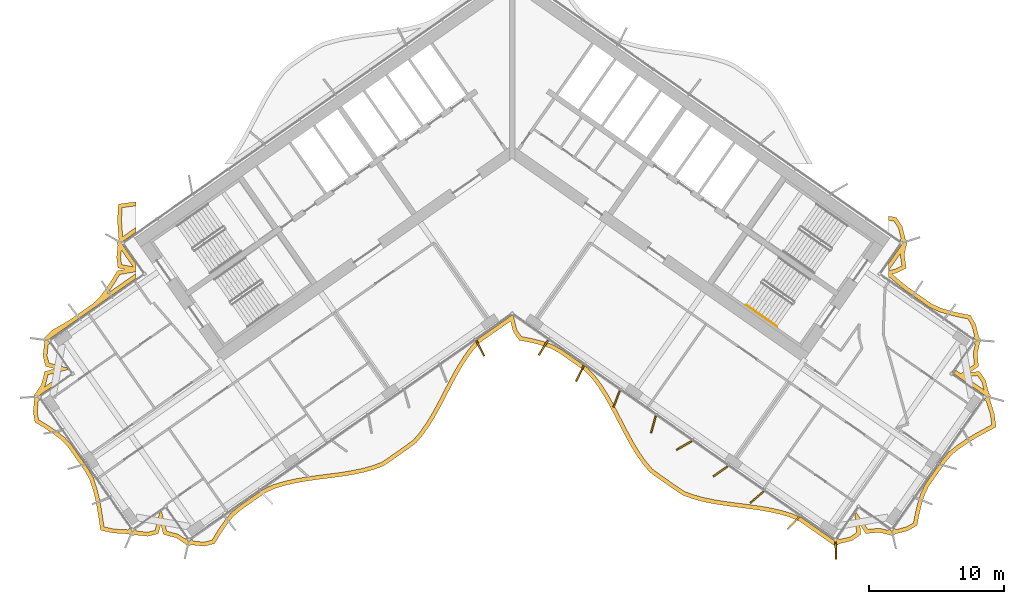
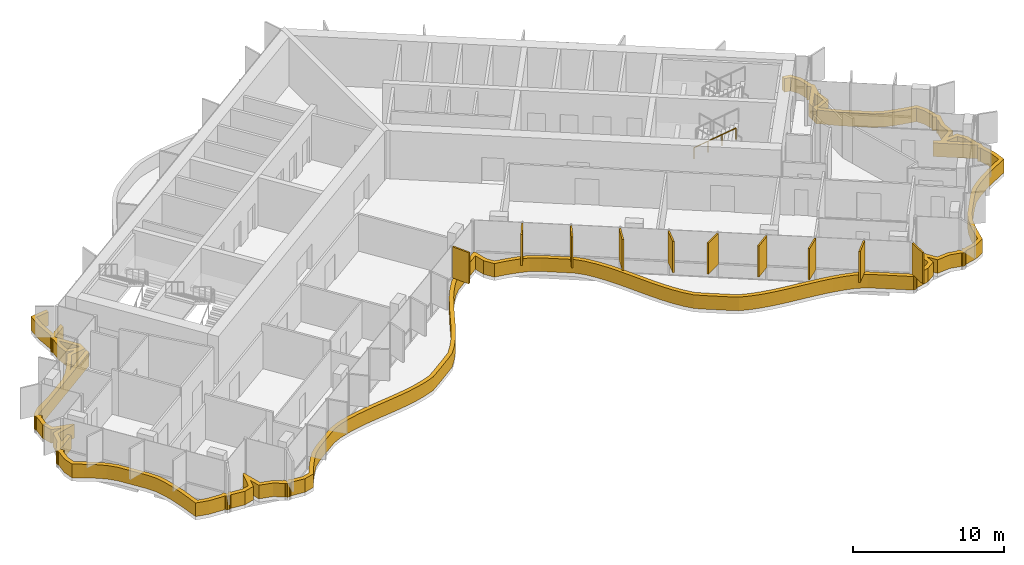
# One storey, part 19 of 21: 11 shading devices, 1 railing.
"""IFC4 building model written with IfcOpenShell, lengths in metres."""

from ifc_helpers import new_model, si_unit, direction, frame, origin, origin_2d, place, context, subcontext, project, spatial, polyline, rectangle, circle, outline, extrude, material, layer, layer_set, type_object, element, save


model = new_model("IFC4")

# Units and contexts
model_context = context("Model", 3, precision=1e-05, world=origin(), true_north=direction((0.0, 1.0)))
body_context = subcontext(model_context, "Body", "Model", "MODEL_VIEW")
ifc_project = project(units=[si_unit("LENGTHUNIT", "METRE"), si_unit("AREAUNIT", "SQUARE_METRE"), si_unit("VOLUMEUNIT", "CUBIC_METRE"), si_unit("PLANEANGLEUNIT", "RADIAN"), si_unit("MASSUNIT", "GRAM", prefix="KILO")], contexts=[model_context])

# Site, building, storey
site_placement = place(None, origin())
site = spatial("IfcSite", under=ifc_project, at=site_placement, CompositionType="ELEMENT")
building_placement = place(site_placement, origin())
building = spatial("IfcBuilding", under=site, at=building_placement, Name="Tel Ilan Convention Tower", CompositionType="ELEMENT")
storey_placement = place(building_placement, frame((0.0, 0.0, 210.0)))
storey = spatial("IfcBuildingStorey", under=building, at=storey_placement, Name="L49", CompositionType="ELEMENT", Elevation=210.0)

# Shading devices
ifc_material_1 = material(Name="Aluminium, bronze anodised", Category="aluminium")
ifc_layer_1 = layer(ifc_material_1, 0.1201171875)
ifc_layer_set_1 = layer_set([ifc_layer_1], Name="FIN BRONZE 1300x120")
shading_device_type_1 = type_object("IfcShadingDeviceType", Name="FIN BRONZE 1300x120", PredefinedType="USERDEFINED", material=ifc_layer_set_1)
for number, where, z_axis, x_axis, name in (
    (1, (-2.36572265625, -15.269775390625, 1.10009765625), (0.0, 0.0, 1.0), (0.448799180206, -0.893632640321, 0.0), "FIN"),
    (2, (2.31396484375, -15.23388671875, 1.10009765625), (0.0, 0.0, 1.0), (-0.533204432798, -0.845986425922, 0.0), "FIN"),
    (3, (5.027587890625, -17.1337890625, 1.10009765625), (0.0, 0.0, 1.0), (-0.448799180206, -0.893632640321, 0.0), "FIN"),
    (4, (7.744140625, -19.02783203125, 1.10009765625), (0.0, 0.0, 1.0), (-0.360177724803, -0.932883704733, 0.0), "FIN"),
    (5, (10.462646484375, -20.916259765625, 1.10009765625), (0.0, 0.0, 1.0), (-0.268172612768, -0.963370878614, 0.0), "FIN"),
    (6, (12.733154296875, -22.4833984375, 1.10009765625), (0.0, 0.0, 1.0), (-0.866025403784, -0.5, 0.0), "FIN"),
    (7, (15.432373046875, -24.39599609375, 1.10009765625), (0.0, 0.0, 1.0), (-0.813552070258, -0.581492071294, 0.0), "FIN"),
    (8, (18.13671875, -26.3046875, 1.10009765625), (0.0, 0.0, 1.0), (-0.753435896329, -0.657521368568, 0.0), "FIN"),
    (9, (20.845703125, -28.20947265625, 1.10009765625), (0.0, 0.0, 1.0), (-0.686241637865, -0.727373641577, 0.0), "FIN"),
    (10, (23.978759765625, -30.251708984375, 1.10009765625), (0.0, 0.0, 1.0), (0.029084718749, -0.999576950082, 0.0), "FIN"),
):
    element("IfcShadingDevice", number, at=place(storey_placement, frame(where, z_axis=z_axis, x_axis=x_axis)), inside=storey, type_object=shading_device_type_1, Name=name, ObjectType="FIN", PredefinedType="USERDEFINED", context=body_context, shape_type="SweptSolid", body=[
        extrude(rectangle(XDim=1.300048828125, YDim=0.1201171875, at=origin_2d()), origin(), (0.0, 0.0, 1.0), 2.52001953125),
    ])
ifc_material_2 = material(Name="Aluminium, bronze anodised", Category="aluminium")
ifc_layer_2 = layer(ifc_material_2, 0.300048828125)
ifc_layer_set_2 = layer_set([ifc_layer_2], Name="LOUVRE BAND 300x1100")
shading_device_type_2 = type_object("IfcShadingDeviceType", Name="LOUVRE BAND 300x1100", PredefinedType="USERDEFINED", material=ifc_layer_set_2)
shading_device_placement = place(storey_placement, origin())
element("IfcShadingDevice", 11, at=shading_device_placement, inside=storey, type_object=shading_device_type_2, Name="LOUVRE BAND 38.01", ObjectType="LOUVRE", PredefinedType="USERDEFINED", context=body_context, shape_type="SweptSolid", body=[
    extrude(outline(polyline([(-35.475341796875, -19.978515625), (-35.341064453125, -20.760498046875), (-34.66357421875, -21.162353515625), (-34.018310546875, -21.58642578125), (-33.419189453125, -22.043212890625), (-32.91015625, -22.562744140625), (-31.67529296875, -24.326416015625), (-31.311279296875, -24.947509765625), (-31.06982421875, -25.65478515625), (-30.877685546875, -26.396240234375), (-30.7255859375, -27.165771484375), (-30.602294921875, -27.95556640625), (-30.489501953125, -28.75244140625), (-29.54248046875, -28.965576171875), (-28.377685546875, -29.026123046875), (-28.3486328125, -29.0693359375), (-28.25146484375, -29.134521484375), (-28.13671875, -29.1572265625), (-28.021728515625, -29.134521484375), (-27.9677734375, -29.098388671875), (-26.975341796875, -29.2080078125), (-26.201416015625, -29.005615234375), (-26.022705078125, -28.324951171875), (-25.82763671875, -29.071533203125), (-24.87646484375, -29.3212890625), (-24.2041015625, -29.76611328125), (-24.199462890625, -29.7626953125), (-24.170654296875, -29.80615234375), (-24.0732421875, -29.87109375), (-23.95849609375, -29.89404296875), (-23.843505859375, -29.87109375), (-23.78955078125, -29.8349609375), (-22.79736328125, -29.94482421875), (-22.0234375, -29.742431640625), (-21.604248046875, -29.03369140625), (-21.15576171875, -28.366455078125), (-20.6708984375, -27.75146484375), (-20.100341796875, -27.2587890625), (-18.257568359375, -25.968505859375), (-17.560791015625, -25.65576171875), (-16.80419921875, -25.428955078125), (-16.01318359375, -25.2509765625), (-15.196044921875, -25.1103515625), (-14.362060546875, -24.994140625), (-12.68359375, -24.7763671875), (-11.859619140625, -24.645751953125), (-11.058837890625, -24.481689453125), (-10.2900390625, -24.272216796875), (-9.559814453125, -24.007568359375), (-8.935546875, -23.591796875), (-7.706787109375, -22.7314453125), (-7.102294921875, -22.287353515625), (-6.603515625, -21.692138671875), (-6.143798828125, -21.041259765625), (-5.7158203125, -20.344970703125), (-5.31103515625, -19.61572265625), (-4.5322265625, -18.11279296875), (-4.1376953125, -17.36865234375), (-3.726318359375, -16.64892578125), (-3.28857421875, -15.96630859375), (-2.81689453125, -15.332763671875), (-2.28515625, -14.784423828125), (-0.12109375, -13.269287109375), (0.067626953125, -14.029296875), (0.522216796875, -14.687255859375), (1.33154296875, -14.8388671875), (2.112060546875, -15.03173828125), (2.855712890625, -15.277099609375), (3.513916015625, -15.644775390625), (5.356689453125, -16.935302734375), (5.888671875, -17.48291015625), (6.36083984375, -18.1162109375), (6.798583984375, -18.798583984375), (7.2099609375, -19.5185546875), (7.6044921875, -20.262451171875), (8.38330078125, -21.765380859375), (8.7880859375, -22.494873046875), (9.2158203125, -23.191162109375), (9.675537109375, -23.84228515625), (10.174072265625, -24.437744140625), (10.778564453125, -24.882080078125), (12.007080078125, -25.742431640625), (12.631103515625, -26.15869140625), (13.361083984375, -26.423828125), (14.1298828125, -26.63330078125), (14.930419921875, -26.79736328125), (15.75439453125, -26.92822265625), (17.432861328125, -27.14599609375), (18.26708984375, -27.26220703125), (19.084228515625, -27.402587890625), (19.875244140625, -27.580322265625), (20.632080078125, -27.80712890625), (21.3291015625, -28.119140625), (23.786376953125, -29.83984375), (23.78955078125, -29.8349609375), (23.843505859375, -29.87109375), (23.95849609375, -29.89404296875), (24.0732421875, -29.87109375), (24.170654296875, -29.80615234375), (24.199462890625, -29.7626953125), (25.16943359375, -29.5263671875), (25.82763671875, -29.071533203125), (25.7626953125, -28.370849609375), (26.201416015625, -29.005615234375), (27.1806640625, -28.9150390625), (27.964599609375, -29.10302734375), (27.9677734375, -29.098388671875), (28.021728515625, -29.134521484375), (28.13671875, -29.1572265625), (28.25146484375, -29.134521484375), (28.3486328125, -29.0693359375), (28.377685546875, -29.026123046875), (29.301025390625, -28.79638671875), (29.989990234375, -28.40283203125), (30.135498046875, -27.628662109375), (30.3134765625, -26.877197265625), (30.537841796875, -26.158203125), (30.85205078125, -25.502197265625), (32.0869140625, -23.738525390625), (32.546142578125, -23.18408203125), (33.1279296875, -22.71533203125), (33.759033203125, -22.28125), (34.43017578125, -21.875), (35.13037109375, -21.489013671875), (35.840576171875, -21.1103515625), (35.717041015625, -20.147705078125), (35.375244140625, -19.032470703125), (35.411376953125, -18.978515625), (35.434326171875, -18.863525390625), (35.411376953125, -18.748779296875), (35.346435546875, -18.6513671875), (35.302978515625, -18.62255859375), (35.066650390625, -17.652587890625), (34.61181640625, -16.994384765625), (33.9111328125, -17.059326171875), (34.5458984375, -16.62060546875), (34.455322265625, -15.641357421875), (34.643310546875, -14.857421875), (34.638671875, -14.854248046875), (34.674560546875, -14.80029296875), (34.697509765625, -14.685546875), (34.674560546875, -14.570556640625), (34.609619140625, -14.473388671875), (34.56640625, -14.4443359375), (34.3369140625, -13.5224609375), (33.945068359375, -12.832763671875), (33.172119140625, -12.68701171875), (32.421630859375, -12.509521484375), (31.703369140625, -12.285888671875), (31.047119140625, -11.973388671875), (29.2861328125, -10.740234375), (28.730712890625, -10.28369140625), (28.18212890625, -9.817626953125), (28.123291015625, -9.789794921875), (28.491455078125, -9.6953125), (29.19384765625, -9.332763671875), (29.044921875, -8.373779296875), (29.20458984375, -7.631103515625), (29.199951171875, -7.6279296875), (29.236083984375, -7.57373046875), (29.2587890625, -7.458984375), (29.236083984375, -7.34423828125), (29.1708984375, -7.246826171875), (29.127685546875, -7.218017578125), (28.894287109375, -6.267333984375), (28.465576171875, -5.595458984375), (27.874755859375, -5.485595703125), (27.874755859375, -5.790771484375), (28.28271484375, -5.86669921875), (28.614990234375, -6.387451171875), (28.806640625, -7.1533203125), (28.713134765625, -7.286865234375), (28.958740234375, -7.458984375), (27.874755859375, -9.007080078125), (27.874755859375, -9.530029296875), (28.76171875, -8.263671875), (28.73974609375, -8.364990234375), (28.8642578125, -9.165283203125), (28.3837890625, -9.413330078125), (27.874755859375, -9.5439453125), (27.874755859375, -10.004150390625), (28.01806640625, -10.072021484375), (28.538330078125, -10.513916015625), (29.1044921875, -10.979248046875), (30.895751953125, -12.2333984375), (31.593505859375, -12.56591796875), (32.34228515625, -12.799072265625), (33.10986328125, -12.980712890625), (33.7529296875, -13.101806640625), (34.05615234375, -13.635498046875), (34.244873046875, -14.380126953125), (34.15185546875, -14.513427734375), (34.3974609375, -14.685546875), (34.22607421875, -14.931640625), (34.303955078125, -14.986083984375), (34.15185546875, -15.61962890625), (34.23095703125, -16.473388671875), (33.23095703125, -17.164794921875), (32.848876953125, -16.897216796875), (32.6767578125, -17.142822265625), (35.13427734375, -18.863525390625), (34.962158203125, -19.109375), (35.123046875, -19.221923828125), (35.422607421875, -20.210693359375), (35.5166015625, -20.943115234375), (34.280029296875, -21.615234375), (33.59619140625, -22.029052734375), (32.94873046875, -22.474609375), (32.33447265625, -22.96923828125), (31.84814453125, -23.556640625), (30.59228515625, -25.350341796875), (30.258056640625, -26.04833984375), (30.024169921875, -26.7978515625), (29.842041015625, -27.56640625), (29.720703125, -28.211181640625), (29.187744140625, -28.515625), (28.44189453125, -28.704833984375), (28.30859375, -28.611572265625), (28.13671875, -28.857177734375), (27.890380859375, -28.685791015625), (27.8359375, -28.763671875), (27.202392578125, -28.61181640625), (26.3486328125, -28.690673828125), (25.475341796875, -27.427490234375), (25.385986328125, -27.555419921875), (25.5126953125, -28.924560546875), (25.044189453125, -29.24853515625), (24.264404296875, -29.44189453125), (24.13037109375, -29.34814453125), (23.95849609375, -29.593994140625), (21.477783203125, -27.85693359375), (20.73681640625, -27.525390625), (19.951416015625, -27.2900390625), (19.142578125, -27.108154296875), (18.313232421875, -26.9658203125), (17.472412109375, -26.8486328125), (15.797607421875, -26.63134765625), (14.984130859375, -26.502197265625), (14.199462890625, -26.34130859375), (13.451904296875, -26.137451171875), (12.767578125, -25.88916015625), (12.176513671875, -25.494873046875), (10.953369140625, -24.638427734375), (10.380859375, -24.217529296875), (9.91357421875, -23.6591796875), (9.466552734375, -23.02587890625), (9.047119140625, -22.343505859375), (8.6474609375, -21.623291015625), (7.870361328125, -20.123779296875), (7.472900390625, -19.373779296875), (7.05517578125, -18.64306640625), (6.607666015625, -17.945556640625), (6.11767578125, -17.2880859375), (5.55224609375, -16.705810546875), (3.67333984375, -15.390380859375), (2.97705078125, -15.001220703125), (2.195068359375, -14.743408203125), (1.395263671875, -14.54541015625), (0.69873046875, -14.4150390625), (0.345458984375, -13.90380859375), (0.092041015625, -12.882568359375), (0.0, -12.818115234375), (-2.480712890625, -14.55517578125), (-3.045654296875, -15.137939453125), (-3.53564453125, -15.795654296875), (-3.98291015625, -16.493408203125), (-4.400634765625, -17.22412109375), (-4.798095703125, -17.973876953125), (-5.5751953125, -19.473388671875), (-5.974853515625, -20.193603515625), (-6.394287109375, -20.8759765625), (-6.841552734375, -21.5087890625), (-7.30908203125, -22.067138671875), (-7.881591796875, -22.487548828125), (-9.104736328125, -23.343994140625), (-9.696044921875, -23.73779296875), (-10.380615234375, -23.986083984375), (-11.12841796875, -24.189697265625), (-11.913330078125, -24.350341796875), (-12.726806640625, -24.4794921875), (-14.401611328125, -24.69677734375), (-15.2421875, -24.81396484375), (-16.07177734375, -24.95654296875), (-16.88037109375, -25.138427734375), (-17.665771484375, -25.3740234375), (-18.40625, -25.706298828125), (-20.284912109375, -27.021728515625), (-20.888671875, -27.543212890625), (-21.3984375, -28.189697265625), (-21.85791015625, -28.87353515625), (-22.21875, -29.4833984375), (-22.820068359375, -29.640625), (-23.618896484375, -29.555908203125), (-23.712158203125, -29.422607421875), (-23.95849609375, -29.593994140625), (-24.13037109375, -29.34814453125), (-24.208984375, -29.403076171875), (-24.75244140625, -29.043701171875), (-25.581787109375, -28.825927734375), (-25.97021484375, -27.34033203125), (-26.097900390625, -27.4296875), (-26.447021484375, -28.759765625), (-26.998291015625, -28.904052734375), (-27.797119140625, -28.819091796875), (-27.890380859375, -28.685791015625), (-28.13671875, -28.857177734375), (-28.30859375, -28.611572265625), (-28.469482421875, -28.72412109375), (-29.501220703125, -28.66748046875), (-30.221435546875, -28.50537109375), (-30.429931640625, -27.113525390625), (-30.585205078125, -26.329345703125), (-30.7822265625, -25.568359375), (-31.037109375, -24.822021484375), (-31.422607421875, -24.164306640625), (-32.6787109375, -22.37060546875), (-33.22021484375, -21.81787109375), (-33.8447265625, -21.341552734375), (-34.50439453125, -20.90771484375), (-35.06884765625, -20.5732421875), (-35.1728515625, -19.968017578125), (-35.09521484375, -19.20263671875), (-34.962158203125, -19.109375), (-35.13427734375, -18.863525390625), (-33.700927734375, -17.860107421875), (-33.873046875, -17.6142578125), (-34.63623046875, -18.148681640625), (-34.583984375, -18.069580078125), (-34.3662109375, -17.240234375), (-32.880615234375, -16.851806640625), (-32.969970703125, -16.72412109375), (-34.300048828125, -16.375), (-34.444091796875, -15.82373046875), (-34.359375, -15.02490234375), (-34.22607421875, -14.931640625), (-34.3974609375, -14.685546875), (-27.874755859375, -10.1181640625), (-27.874755859375, -9.751953125), (-29.960693359375, -11.21240234375), (-29.828369140625, -11.038818359375), (-29.395263671875, -10.379638671875), (-29.0615234375, -9.81689453125), (-27.874755859375, -9.615966796875), (-27.874755859375, -9.007080078125), (-28.958740234375, -7.458984375), (-27.874755859375, -6.699951171875), (-27.874755859375, -6.333740234375), (-28.84423828125, -7.0126953125), (-28.93115234375, -5.783447265625), (-28.876953125, -4.86572265625), (-27.874755859375, -4.735107421875), (-27.874755859375, -4.4326171875), (-29.161865234375, -4.60107421875), (-29.231689453125, -5.78515625), (-29.127685546875, -7.218017578125), (-29.1708984375, -7.246826171875), (-29.236083984375, -7.34423828125), (-29.2587890625, -7.458984375), (-29.236083984375, -7.57373046875), (-29.199951171875, -7.6279296875), (-29.29443359375, -8.548583984375), (-29.19384765625, -9.332763671875), (-28.642333984375, -9.441650390625), (-29.24853515625, -9.544189453125), (-29.649658203125, -10.220703125), (-30.0732421875, -10.865234375), (-30.529296875, -11.463623046875), (-31.047119140625, -11.973388671875), (-32.808349609375, -13.20654296875), (-33.42724609375, -13.572265625), (-34.052734375, -13.928466796875), (-34.569580078125, -14.439697265625), (-34.56640625, -14.4443359375), (-34.609619140625, -14.473388671875), (-34.674560546875, -14.570556640625), (-34.697509765625, -14.685546875), (-34.674560546875, -14.80029296875), (-34.638671875, -14.854248046875), (-34.748291015625, -15.8466796875), (-34.5458984375, -16.62060546875), (-33.865234375, -16.79931640625), (-34.61181640625, -16.994384765625), (-34.861572265625, -17.945556640625), (-35.306396484375, -18.617919921875), (-35.302978515625, -18.62255859375), (-35.346435546875, -18.6513671875), (-35.411376953125, -18.748779296875), (-35.434326171875, -18.863525390625), (-35.411376953125, -18.978515625), (-35.375244140625, -19.032470703125), (-35.475341796875, -19.978515625)]), holes=[polyline([(34.46484375, -17.309326171875), (34.788818359375, -17.77783203125), (34.93212890625, -18.35595703125), (33.5576171875, -17.393310546875), (34.46484375, -17.309326171875)]), polyline([(-28.992431640625, -8.5439453125), (-28.940185546875, -8.0087890625), (-28.072265625, -9.248291015625), (-28.923828125, -9.080322265625), (-28.992431640625, -8.5439453125)])]), origin(), (0.0, 0.0, 1.0), 1.10009765625),
])

# Railing
ifc_material_3 = material(Name="Stainless Steel Grade 316", Category="steel")
railing_type = type_object("IfcRailingType", Name="Stainless Steel Stair Handrail 900 mm", PredefinedType="HANDRAIL", material=ifc_material_3)
railing_placement = place(storey_placement, frame((17.312744140625, -12.0615234375, 2.127197265625)))
element("IfcRailing", 12, at=railing_placement, inside=storey, type_object=railing_type, Name="L49 S4 stair handrail 2", PredefinedType="HANDRAIL", context=body_context, shape_type="SweptSolid", body=[
    extrude(circle(Radius=0.02392578125, at=origin_2d()), frame((0.0, 0.0, 0.8759765625), z_axis=(0.692123088272, -0.484596665743, 0.534912798717), x_axis=(0.573550118428, 0.819170471667, 0.0)), (0.0, 0.0, 1.0), 3.31396484375),
    extrude(circle(Radius=0.02099609375, at=origin_2d()), origin(), (0.0, 0.0, 1.0), 0.851806640625),
    extrude(circle(Radius=0.02099609375, at=origin_2d()), frame((0.7646484375, -0.535400390625, 0.5908203125)), (0.0, 0.0, 1.0), 0.851806640625),
    extrude(circle(Radius=0.02099609375, at=origin_2d()), frame((1.529052734375, -1.070556640625, 1.181884765625)), (0.0, 0.0, 1.0), 0.851806640625),
    extrude(circle(Radius=0.02099609375, at=origin_2d()), frame((2.293701171875, -1.60595703125, 1.772705078125)), (0.0, 0.0, 1.0), 0.851806640625),
])

save(model, "model.ifc")
